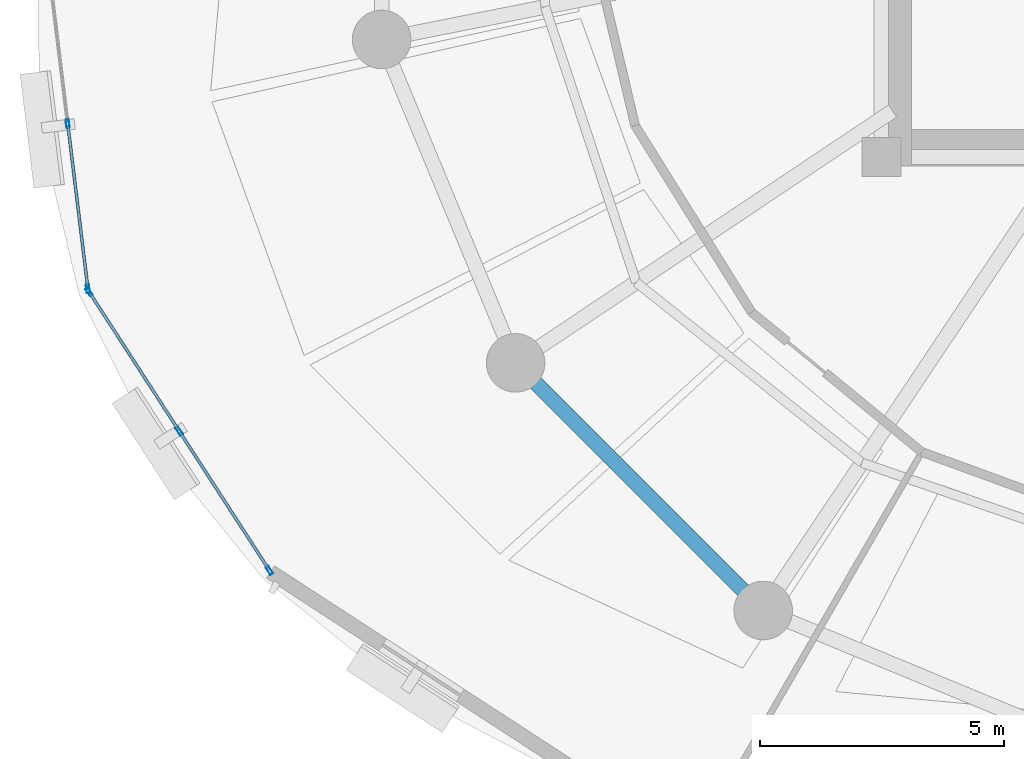
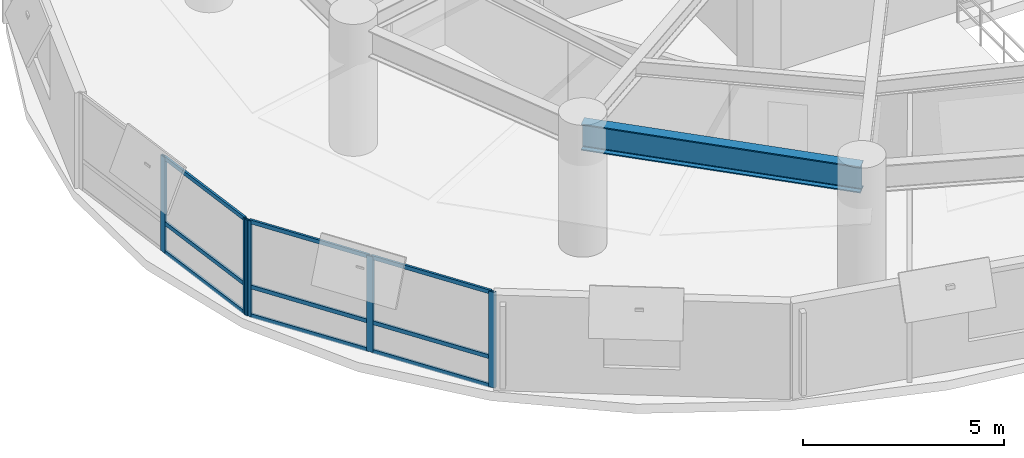
# One storey, part 2 of 15: 14 members, 1 beam, 2 elements without a shape of their own.
"""IFC4 building model written with IfcOpenShell, lengths in metres."""

from ifc_helpers import new_model, si_unit, direction, frame, origin, origin_2d, place, context, subcontext, project, spatial, hollow_rectangle, i_section, extrude, material, layer, layer_set, material_profile, profile_set, type_object, element, aggregate, save


model = new_model("IFC4")

# Units and contexts
model_context = context("Model", 3, precision=1e-05, world=origin(), true_north=direction((0.0, 1.0)))
body_context = subcontext(model_context, "Body", "Model", "MODEL_VIEW")
ifc_project = project(units=[si_unit("LENGTHUNIT", "METRE"), si_unit("AREAUNIT", "SQUARE_METRE"), si_unit("VOLUMEUNIT", "CUBIC_METRE"), si_unit("PLANEANGLEUNIT", "RADIAN"), si_unit("MASSUNIT", "GRAM", prefix="KILO"), si_unit("THERMODYNAMICTEMPERATUREUNIT", "KELVIN"), si_unit("POWERUNIT", "WATT")], contexts=[model_context])

# Site, building, storey
site_placement = place(None, origin())
site = spatial("IfcSite", under=ifc_project, at=site_placement, CompositionType="ELEMENT")
building_placement = place(site_placement, origin())
building = spatial("IfcBuilding", under=site, at=building_placement, Name="Ocrelia Relay Tower", CompositionType="ELEMENT")
storey_placement = place(building_placement, frame((0.0, 0.0, 117.800048828125)))
storey = spatial("IfcBuildingStorey", under=building, at=storey_placement, Name="L27", CompositionType="ELEMENT", Elevation=117.800048828125)

# Beam
ifc_material_1 = material(Name="Steel S355", Category="steel")
ifc_material_profile_1 = material_profile(ifc_material_1, i_section(OverallWidth=0.300048828125, OverallDepth=0.800048828125, WebThickness=0.017578125, FlangeThickness=0.032958984375, FilletRadius=0.030029296875, at=origin_2d()), Name="HEB 800")
ifc_profile_set_1 = profile_set([ifc_material_profile_1], Name="Steel S355")
beam_type = type_object("IfcBeamType", Name="BM-HEB800", PredefinedType="BEAM", material=ifc_profile_set_1)
beam_placement = place(storey_placement, frame((18.700927734375, 15.777587890625, 3.320068359375), z_axis=(0.707106781187, -0.707106781187, 0.0), x_axis=(0.707106781187, 0.707106781187, 0.0)))
element("IfcBeam", 1, at=beam_placement, inside=storey, type_object=beam_type, Name="L27 Perimeter Spandrel Beam S10", PredefinedType="BEAM", context=body_context, shape_type="SweptSolid", body=[
    extrude(i_section(OverallWidth=0.300048828125, OverallDepth=0.800048828125, WebThickness=0.017578125, FlangeThickness=0.032958984375, FilletRadius=0.030029296875, at=origin_2d()), origin(), (0.0, 0.0, 1.0), 7.179443359375),
])

# Curtain wall, members
ifc_material_2 = material(Name="Aluminium and solar-control low-E glass", Category="aluminium")
ifc_layer = layer(ifc_material_2, 0.179931640625, Name="Aluminium and solar-control low-E glass")
ifc_layer_set = layer_set([ifc_layer], Name="Aluminium and solar-control low-E glass")
curtain_wall_type = type_object("IfcCurtainWallType", Name="CW-SYS-Z2-SWIT", PredefinedType="NOTDEFINED", material=ifc_layer_set)
curtain_wall_1_placement = place(storey_placement, origin())
curtain_wall_1 = element("IfcCurtainWall", 2, at=curtain_wall_1_placement, inside=storey, type_object=curtain_wall_type, Name="L27 Elliptical Tower Curtain Wall Bay 09", PredefinedType="NOTDEFINED")
ifc_material_3 = material(Name="Anodised bronze aluminium", Category="aluminium")
ifc_material_profile_2 = material_profile(ifc_material_3, hollow_rectangle(XDim=0.070068359375, YDim=0.179931640625, WallThickness=0.006103515625, at=origin_2d()), Name="CW-MUL-180x70")
ifc_profile_set_2 = profile_set([ifc_material_profile_2], Name="Anodised bronze aluminium")
member_type_1 = type_object("IfcMemberType", Name="CW-SYS-Z2-SWIT-MUL", PredefinedType="MULLION", material=ifc_profile_set_2)
member_1_placement = place(storey_placement, frame((9.518310546875, 20.679443359375, 0.0), z_axis=(0.0, 0.0, 1.0), x_axis=(0.992588034957, 0.121527745226, 0.0)))
member_1 = element("IfcMember", 3, at=member_1_placement, type_object=member_type_1, Name="CW-Z2 mullion 2", PredefinedType="MULLION", context=body_context, shape_type="SweptSolid", body=[
    extrude(hollow_rectangle(XDim=0.070068359375, YDim=0.179931640625, WallThickness=0.006103515625, at=origin_2d()), origin(), (0.0, 0.0, 1.0), 2.89990234375),
])
member_2_placement = place(storey_placement, frame((9.931884765625, 17.300048828125, 0.0), z_axis=(0.0, 0.0, 1.0), x_axis=(0.992588034957, 0.121527745226, 0.0)))
member_2 = element("IfcMember", 4, at=member_2_placement, type_object=member_type_1, Name="CW-Z2 mullion 3", PredefinedType="MULLION", context=body_context, shape_type="SweptSolid", body=[
    extrude(hollow_rectangle(XDim=0.070068359375, YDim=0.179931640625, WallThickness=0.006103515625, at=origin_2d()), origin(), (0.0, 0.0, 1.0), 2.89990234375),
])

curtain_wall_2_placement = place(storey_placement, origin())
curtain_wall_2 = element("IfcCurtainWall", 5, at=curtain_wall_2_placement, inside=storey, type_object=curtain_wall_type, Name="L27 Elliptical Tower Curtain Wall Bay 10", PredefinedType="NOTDEFINED")
member_3_placement = place(storey_placement, frame((9.955322265625, 17.23583984375, 0.0), z_axis=(0.0, 0.0, 1.0), x_axis=(0.839437918968, 0.543455591745, 0.0)))
member_3 = element("IfcMember", 6, at=member_3_placement, type_object=member_type_1, Name="CW-Z2 mullion 1", PredefinedType="MULLION", context=body_context, shape_type="SweptSolid", body=[
    extrude(hollow_rectangle(XDim=0.070068359375, YDim=0.179931640625, WallThickness=0.006103515625, at=origin_2d()), origin(), (0.0, 0.0, 1.0), 2.89990234375),
])
member_4_placement = place(storey_placement, frame((11.805419921875, 14.3779296875, 0.0), z_axis=(0.0, 0.0, 1.0), x_axis=(0.839437918968, 0.543455591745, 0.0)))
member_4 = element("IfcMember", 7, at=member_4_placement, type_object=member_type_1, Name="CW-Z2 mullion 2", PredefinedType="MULLION", context=body_context, shape_type="SweptSolid", body=[
    extrude(hollow_rectangle(XDim=0.070068359375, YDim=0.179931640625, WallThickness=0.006103515625, at=origin_2d()), origin(), (0.0, 0.0, 1.0), 2.89990234375),
])
member_5_placement = place(storey_placement, frame((13.65576171875, 11.52001953125, 0.0), z_axis=(0.0, 0.0, 1.0), x_axis=(0.839437918968, 0.543455591745, 0.0)))
member_5 = element("IfcMember", 8, at=member_5_placement, type_object=member_type_1, Name="CW-Z2 mullion 3", PredefinedType="MULLION", context=body_context, shape_type="SweptSolid", body=[
    extrude(hollow_rectangle(XDim=0.070068359375, YDim=0.179931640625, WallThickness=0.006103515625, at=origin_2d()), origin(), (0.0, 0.0, 1.0), 2.89990234375),
])

# Member
ifc_material_profile_3 = material_profile(ifc_material_3, hollow_rectangle(XDim=0.06005859375, YDim=0.1201171875, WallThickness=0.0048828125, at=origin_2d()), Name="CW-TRN-120x60")
ifc_profile_set_3 = profile_set([ifc_material_profile_3], Name="Anodised bronze aluminium")
member_type_2 = type_object("IfcMemberType", Name="CW-SYS-Z2-SWIT-TRN", PredefinedType="USERDEFINED", material=ifc_profile_set_3)
member_6_placement = place(storey_placement, frame((9.5224609375, 20.64453125, 0.030029296875), z_axis=(0.121538246197, -0.992586749212, 0.0), x_axis=(0.992586749212, 0.121538246197, 0.0)))
member_6 = element("IfcMember", 9, at=member_6_placement, type_object=member_type_2, Name="CW-Z2 transom 2.1", ObjectType="TRANSOM", PredefinedType="USERDEFINED", context=body_context, shape_type="SweptSolid", body=[
    extrude(hollow_rectangle(XDim=0.06005859375, YDim=0.1201171875, WallThickness=0.0048828125, at=origin_2d()), origin(), (0.0, 0.0, 1.0), 3.33447265625),
])

member_7_placement = place(storey_placement, frame((9.5224609375, 20.64453125, 0.89990234375), z_axis=(0.121538246197, -0.992586749212, 0.0), x_axis=(0.992586749212, 0.121538246197, 0.0)))
member_7 = element("IfcMember", 10, at=member_7_placement, type_object=member_type_2, Name="CW-Z2 transom 2.2", ObjectType="TRANSOM", PredefinedType="USERDEFINED", context=body_context, shape_type="SweptSolid", body=[
    extrude(hollow_rectangle(XDim=0.06005859375, YDim=0.1201171875, WallThickness=0.0048828125, at=origin_2d()), origin(), (0.0, 0.0, 1.0), 3.33447265625),
])

member_8_placement = place(storey_placement, frame((9.5224609375, 20.64453125, 2.869873046875), z_axis=(0.121538246197, -0.992586749212, 0.0), x_axis=(0.992586749212, 0.121538246197, 0.0)))
member_8 = element("IfcMember", 11, at=member_8_placement, type_object=member_type_2, Name="CW-Z2 transom 2.3", ObjectType="TRANSOM", PredefinedType="USERDEFINED", context=body_context, shape_type="SweptSolid", body=[
    extrude(hollow_rectangle(XDim=0.06005859375, YDim=0.1201171875, WallThickness=0.0048828125, at=origin_2d()), origin(), (0.0, 0.0, 1.0), 3.33447265625),
])

aggregate(curtain_wall_1, [member_1, member_2, member_6, member_7, member_8])

member_9_placement = place(storey_placement, frame((9.97412109375, 17.20654296875, 0.030029296875), z_axis=(0.543481977166, -0.839420836348, 0.0), x_axis=(0.839420836348, 0.543481977166, 0.0)))
member_9 = element("IfcMember", 12, at=member_9_placement, type_object=member_type_2, Name="CW-Z2 transom 1.1", ObjectType="TRANSOM", PredefinedType="USERDEFINED", context=body_context, shape_type="SweptSolid", body=[
    extrude(hollow_rectangle(XDim=0.06005859375, YDim=0.1201171875, WallThickness=0.0048828125, at=origin_2d()), origin(), (0.0, 0.0, 1.0), 3.33447265625),
])

member_10_placement = place(storey_placement, frame((9.97412109375, 17.20654296875, 0.89990234375), z_axis=(0.543481977166, -0.839420836348, 0.0), x_axis=(0.839420836348, 0.543481977166, 0.0)))
member_10 = element("IfcMember", 13, at=member_10_placement, type_object=member_type_2, Name="CW-Z2 transom 1.2", ObjectType="TRANSOM", PredefinedType="USERDEFINED", context=body_context, shape_type="SweptSolid", body=[
    extrude(hollow_rectangle(XDim=0.06005859375, YDim=0.1201171875, WallThickness=0.0048828125, at=origin_2d()), origin(), (0.0, 0.0, 1.0), 3.33447265625),
])

member_11_placement = place(storey_placement, frame((9.97412109375, 17.20654296875, 2.869873046875), z_axis=(0.543481977166, -0.839420836348, 0.0), x_axis=(0.839420836348, 0.543481977166, 0.0)))
member_11 = element("IfcMember", 14, at=member_11_placement, type_object=member_type_2, Name="CW-Z2 transom 1.3", ObjectType="TRANSOM", PredefinedType="USERDEFINED", context=body_context, shape_type="SweptSolid", body=[
    extrude(hollow_rectangle(XDim=0.06005859375, YDim=0.1201171875, WallThickness=0.0048828125, at=origin_2d()), origin(), (0.0, 0.0, 1.0), 3.33447265625),
])

member_12_placement = place(storey_placement, frame((11.824462890625, 14.3486328125, 0.030029296875), z_axis=(0.543481977166, -0.839420836348, 0.0), x_axis=(0.839420836348, 0.543481977166, 0.0)))
member_12 = element("IfcMember", 15, at=member_12_placement, type_object=member_type_2, Name="CW-Z2 transom 2.1", ObjectType="TRANSOM", PredefinedType="USERDEFINED", context=body_context, shape_type="SweptSolid", body=[
    extrude(hollow_rectangle(XDim=0.06005859375, YDim=0.1201171875, WallThickness=0.0048828125, at=origin_2d()), origin(), (0.0, 0.0, 1.0), 3.33447265625),
])

member_13_placement = place(storey_placement, frame((11.824462890625, 14.3486328125, 0.89990234375), z_axis=(0.543481977166, -0.839420836348, 0.0), x_axis=(0.839420836348, 0.543481977166, 0.0)))
member_13 = element("IfcMember", 16, at=member_13_placement, type_object=member_type_2, Name="CW-Z2 transom 2.2", ObjectType="TRANSOM", PredefinedType="USERDEFINED", context=body_context, shape_type="SweptSolid", body=[
    extrude(hollow_rectangle(XDim=0.06005859375, YDim=0.1201171875, WallThickness=0.0048828125, at=origin_2d()), origin(), (0.0, 0.0, 1.0), 3.33447265625),
])

member_14_placement = place(storey_placement, frame((11.824462890625, 14.3486328125, 2.869873046875), z_axis=(0.543481977166, -0.839420836348, 0.0), x_axis=(0.839420836348, 0.543481977166, 0.0)))
member_14 = element("IfcMember", 17, at=member_14_placement, type_object=member_type_2, Name="CW-Z2 transom 2.3", ObjectType="TRANSOM", PredefinedType="USERDEFINED", context=body_context, shape_type="SweptSolid", body=[
    extrude(hollow_rectangle(XDim=0.06005859375, YDim=0.1201171875, WallThickness=0.0048828125, at=origin_2d()), origin(), (0.0, 0.0, 1.0), 3.33447265625),
])

aggregate(curtain_wall_2, [member_3, member_4, member_5, member_9, member_10, member_11, member_12, member_13, member_14])

save(model, "model.ifc")
